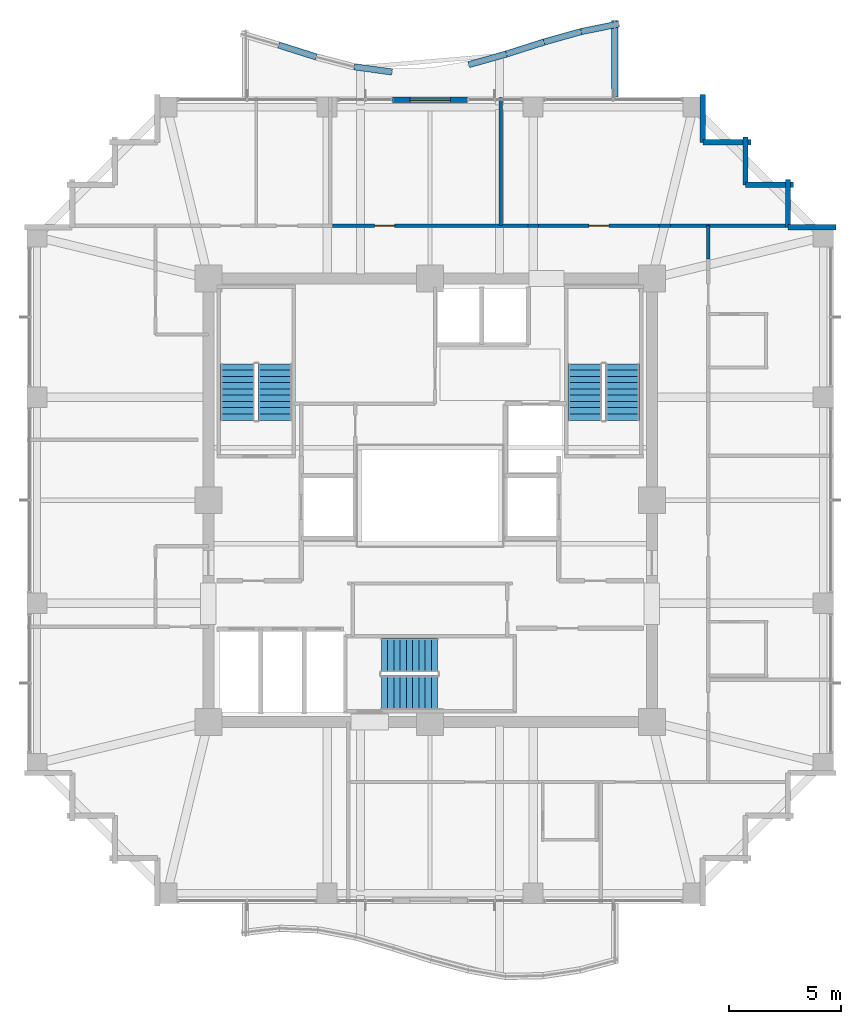
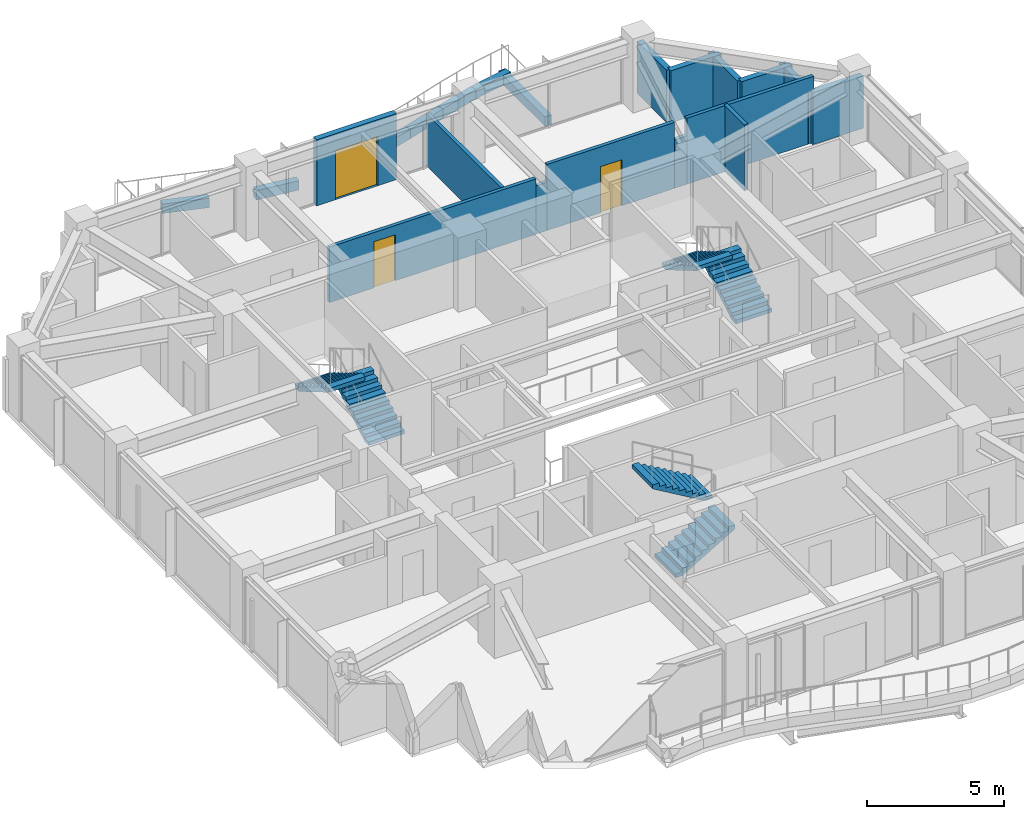
# One storey, part 29 of 31: 22 walls, 6 stair flights, 3 doors, 3 openings, 3 elements without a shape of their own.
"""IFC4 building model written with IfcOpenShell, lengths in metres."""

import ifcopenshell
import ifcopenshell.guid

model = None  # the IFC model being written
_history = None  # IfcOwnerHistory: only IFC2X3 demands one
_inside = {}  # id of a spatial element -> (the spatial element, [elements in it])
_under = {}  # id of a project, library or spatial element -> (it, [spatial elements below it])
_declared = {}  # id of a project -> (the project, [libraries it declares])
_typed = {}  # id of a type object -> (the type object, [elements of that type])
_made_of = {}  # id of a material, layer set ... -> (it, [elements and type objects made of it])


def new_model(schema):
    """Start an empty IFC model of exactly this schema.

    Asked for "IFC4X3", IfcOpenShell would pick the latest addendum, in which some entities
    have other attributes; the version numbers below select the first issue.
    IFC2X3 requires an IfcOwnerHistory on every rooted entity: one is made here for all.
    """
    global model, _history
    if schema == "IFC4X3":
        model = ifcopenshell.file(schema_version=(4, 3, 0, 0))
    else:
        model = ifcopenshell.file(schema=schema)
    _inside.clear()
    _under.clear()
    _declared.clear()
    _typed.clear()
    _made_of.clear()
    _history = None
    if model.schema == "IFC2X3":
        org = make("IfcOrganization", Name="unknown")
        user = make(
            "IfcPersonAndOrganization",
            ThePerson=make("IfcPerson", FamilyName="unknown"),
            TheOrganization=org,
        )
        app = make(
            "IfcApplication",
            ApplicationDeveloper=org,
            Version="unknown",
            ApplicationFullName="unknown",
            ApplicationIdentifier="unknown",
        )
        _history = make(
            "IfcOwnerHistory",
            OwningUser=user,
            OwningApplication=app,
            ChangeAction="ADDED",
            CreationDate=0,
        )
    return model


def make(cls, **values):
    """One entity of the class cls with the attributes given. An attribute that is None is left unset."""
    return model.create_entity(
        cls, **{name: value for name, value in values.items() if value is not None}
    )


def rooted(cls, **values):
    """An entity with a GlobalId (a new one), such as an element, a storey or a relation."""
    return make(cls, GlobalId=ifcopenshell.guid.new(), OwnerHistory=_history, **values)


def si_unit(unit_type, name, prefix=None):
    """IfcSIUnit, for example si_unit("LENGTHUNIT", "METRE", prefix="MILLI")."""
    return make("IfcSIUnit", UnitType=unit_type, Prefix=prefix, Name=name)


def assignment(units):
    """IfcUnitAssignment: the units of a project."""
    return None if units is None else make("IfcUnitAssignment", Units=units)


def point(xyz):
    """IfcCartesianPoint."""
    return None if xyz is None else make("IfcCartesianPoint", Coordinates=xyz)


def direction(xyz):
    """IfcDirection."""
    return None if xyz is None else make("IfcDirection", DirectionRatios=xyz)


def frame(location, z_axis=None, x_axis=None):
    """IfcAxis2Placement3D, a coordinate frame: its origin and axes. An axis left out is left unset."""
    return make(
        "IfcAxis2Placement3D",
        Location=point(location),
        Axis=direction(z_axis),
        RefDirection=direction(x_axis),
    )


def frame_2d(location, x_axis=None):
    """IfcAxis2Placement2D, a coordinate frame in the plane: its origin and x axis."""
    return make(
        "IfcAxis2Placement2D", Location=point(location), RefDirection=direction(x_axis)
    )


def origin():
    """The frame at (0, 0, 0) with its axes left unset."""
    return frame((0.0, 0.0, 0.0))


def place(relative_to, where):
    """IfcLocalPlacement: puts the frame where relative to a parent placement (None: the world)."""
    return make(
        "IfcLocalPlacement", PlacementRelTo=relative_to, RelativePlacement=where
    )


def context(
    kind, dimensions, precision=None, world=None, true_north=None, identifier=None
):
    """IfcGeometricRepresentationContext, for example the 3D "Model" context."""
    return make(
        "IfcGeometricRepresentationContext",
        ContextIdentifier=identifier,
        ContextType=kind,
        CoordinateSpaceDimension=dimensions,
        Precision=precision,
        WorldCoordinateSystem=world,
        TrueNorth=true_north,
    )


def subcontext(parent, identifier, kind, view, scale=None):
    """IfcGeometricRepresentationSubContext, for example "Body" below "Model"."""
    return make(
        "IfcGeometricRepresentationSubContext",
        ContextIdentifier=identifier,
        ContextType=kind,
        ParentContext=parent,
        TargetScale=scale,
        TargetView=view,
    )


def project(units=None, contexts=None):
    """IfcProject with its units and contexts."""
    return rooted(
        "IfcProject",
        Name="project",
        RepresentationContexts=contexts,
        UnitsInContext=assignment(units),
    )


def spatial(cls, under=None, at=None, **own):
    """A site, building, storey or space (cls), placed at a placement, below another one or the project."""
    s = rooted(cls, ObjectPlacement=at, **own)
    if under is not None:
        _under.setdefault(under.id(), (under, []))[1].append(s)
    return s


def polyline(points):
    """IfcPolyline through the points."""
    return make("IfcPolyline", Points=[point(p) for p in points])


def profile(cls, at=None, kind="AREA", **sizes):
    """A parametric profile (cls). Its sizes go by their IFC names, for example OverallWidth=200.0."""
    return make(cls, ProfileType=kind, Position=at, **sizes)


def rectangle(**sizes):
    """IfcRectangleProfileDef."""
    return profile("IfcRectangleProfileDef", **sizes)


def outline(outer, holes=None, kind="AREA"):
    """IfcArbitraryClosedProfileDef: a profile drawn as a closed curve; with holes, ...WithVoids."""
    if holes is None:
        return make("IfcArbitraryClosedProfileDef", ProfileType=kind, OuterCurve=outer)
    return make(
        "IfcArbitraryProfileDefWithVoids",
        ProfileType=kind,
        OuterCurve=outer,
        InnerCurves=holes,
    )


def extrude(swept, where, along, depth):
    """IfcExtrudedAreaSolid: the profile swept, set in the frame where, extruded along a direction by depth."""
    return make(
        "IfcExtrudedAreaSolid",
        SweptArea=swept,
        Position=where,
        ExtrudedDirection=direction(along),
        Depth=depth,
    )


def shape(context_of_items, identifier, shape_type, items):
    """IfcShapeRepresentation: the items that make up one representation, for example the "Body"."""
    return make(
        "IfcShapeRepresentation",
        ContextOfItems=context_of_items,
        RepresentationIdentifier=identifier,
        RepresentationType=shape_type,
        Items=items,
    )


def material(Name=None, Category=None):
    """IfcMaterial."""
    return make("IfcMaterial", Name=Name, Category=Category)


def layer(
    of_material, thickness, ventilated=None, Name=None, Category=None, Priority=None
):
    """IfcMaterialLayer: one layer of a wall or slab, of a material (None: an air gap)."""
    return make(
        "IfcMaterialLayer",
        Material=of_material,
        LayerThickness=thickness,
        IsVentilated=ventilated,
        Name=Name,
        Category=Category,
        Priority=Priority,
    )


def layer_set(layers, Name=None):
    """IfcMaterialLayerSet."""
    return make("IfcMaterialLayerSet", MaterialLayers=layers, LayerSetName=Name)


def made_of(thing, what):
    """Note that an element or type object is made of a material, layer set ...; save() writes the relation."""
    if what is not None:
        _made_of.setdefault(what.id(), (what, []))[1].append(thing)
    return thing


def type_object(cls, material=None, **own):
    """A type object (cls), such as IfcWallType, which elements share."""
    return made_of(rooted(cls, **own), material)


def element(
    cls,
    number,
    at=None,
    inside=None,
    cuts=None,
    type_object=None,
    material=None,
    context=None,
    identifier="Body",
    shape_type=None,
    held_by="IfcProductDefinitionShape",
    body=None,
    shapes=None,
    **own,
):
    """One element of the class cls, such as IfcWall. Its Tag is "e" and its number.

    at: its placement. inside: the storey or other place that contains it. cuts: it is an
    opening in that element (IfcRelVoidsElement). A single representation is given by context,
    identifier, shape_type and body (its items); several are given by shapes. held_by: the class
    of the entity that holds the representations. save() writes the other relations.
    """
    e = rooted(cls, Tag="e%d" % number, ObjectPlacement=at, **own)
    if body is not None:
        shapes = [shape(context, identifier, shape_type, body)]
    if shapes is not None:
        e.Representation = make(held_by, Representations=shapes)
    if inside is not None:
        _inside.setdefault(inside.id(), (inside, []))[1].append(e)
    if cuts is not None:
        rooted(
            "IfcRelVoidsElement", RelatingBuildingElement=cuts, RelatedOpeningElement=e
        )
    if type_object is not None:
        _typed.setdefault(type_object.id(), (type_object, []))[1].append(e)
    return made_of(e, material)


def fill(opening, filler):
    """IfcRelFillsElement: the door or window that sits in an opening."""
    return rooted(
        "IfcRelFillsElement",
        RelatingOpeningElement=opening,
        RelatedBuildingElement=filler,
    )


def aggregate(whole, parts):
    """IfcRelAggregates: a whole, such as a stair, and the parts it consists of."""
    return rooted("IfcRelAggregates", RelatingObject=whole, RelatedObjects=parts)


def save(model, path):
    """Write the relations noted so far, then the file.

    IfcRelAggregates (storeys below a building ...), IfcRelContainedInSpatialStructure (elements
    in a storey), IfcRelDefinesByType, IfcRelAssociatesMaterial and IfcRelDeclares: one each for
    every whole, place, type object, material and project.
    """
    for whole, parts in _under.values():
        aggregate(whole, parts)
    for where, things in _inside.values():
        rooted(
            "IfcRelContainedInSpatialStructure",
            RelatedElements=things,
            RelatingStructure=where,
        )
    for kind, things in _typed.values():
        rooted("IfcRelDefinesByType", RelatedObjects=things, RelatingType=kind)
    for what, things in _made_of.values():
        rooted("IfcRelAssociatesMaterial", RelatedObjects=things, RelatingMaterial=what)
    for by, libraries in _declared.values():
        rooted("IfcRelDeclares", RelatingContext=by, RelatedDefinitions=libraries)
    model.write(path)


model = new_model("IFC4")

# Units and contexts
model_context = context("Model", 3, precision=1e-05, world=origin(), true_north=direction((0.0, 1.0)))
body_context = subcontext(model_context, "Body", "Model", "MODEL_VIEW")
ifc_project = project(units=[si_unit("LENGTHUNIT", "METRE"), si_unit("AREAUNIT", "SQUARE_METRE"), si_unit("VOLUMEUNIT", "CUBIC_METRE"), si_unit("PLANEANGLEUNIT", "RADIAN"), si_unit("MASSUNIT", "GRAM", prefix="KILO")], contexts=[model_context])

# Site, building, storey
site_placement = place(None, origin())
site = spatial("IfcSite", under=ifc_project, at=site_placement, CompositionType="ELEMENT")
building_placement = place(site_placement, origin())
building = spatial("IfcBuilding", under=site, at=building_placement, Name="Kolvaren Belvedere", CompositionType="ELEMENT")
storey_placement = place(building_placement, frame((0.0, 0.0, 144.800048828125)))
storey = spatial("IfcBuildingStorey", under=building, at=storey_placement, Name="L42", CompositionType="ELEMENT", Elevation=144.800048828125)

# Wall, opening, door
ifc_material_1 = material(Name="Gypsum fire-rated partition assembly", Category="gypsum")
ifc_layer_1 = layer(ifc_material_1, 0.14990234375)
ifc_layer_set_1 = layer_set([ifc_layer_1], Name="Gypsum fire-rated partition assembly")
wall_type_1 = type_object("IfcWallType", Name="WL-CORR-150", PredefinedType="PARTITIONING", material=ifc_layer_set_1)
wall_1_placement = place(storey_placement, frame((-4.367431640625, 12.260009765625, 0.0), z_axis=(0.0, 0.0, 1.0), x_axis=(1.0, 0.0, 0.0)))
wall_1 = element("IfcWall", 1, at=wall_1_placement, inside=storey, type_object=wall_type_1, Name="L42 North Corridor Wall", PredefinedType="PARTITIONING", context=body_context, shape_type="SweptSolid", body=[
    extrude(rectangle(XDim=8.73486328125, YDim=0.14990234375, at=frame_2d((4.367431640625, 0.0))), origin(), (0.0, 0.0, 1.0), 2.474853515625),
])
opening_1_placement = place(wall_1_placement, frame((1.887451171875, 0.0, 0.0)))
opening_1 = element("IfcOpeningElement", 2, at=opening_1_placement, cuts=wall_1, Name="Opening D-INT90", PredefinedType="OPENING", context=body_context, shape_type="SweptSolid", body=[
    extrude(rectangle(XDim=0.89990234375, YDim=2.06005859375, at=frame_2d((0.449951171875, 1.030029296875))), frame((0.0, 0.0849609375, 0.0), z_axis=(0.0, -1.0, 0.0), x_axis=(1.0, 0.0, 0.0)), (0.0, 0.0, 1.0), 0.169921875),
])
ifc_material_2 = material(Name="Stained Pacific white oak", Category="timber")
door_type_1 = type_object("IfcDoorType", Name="DR-INT-900", OperationType="NOTDEFINED", PredefinedType="DOOR", material=ifc_material_2)
door_1_placement = place(opening_1_placement, origin())
door_1 = element("IfcDoor", 3, at=door_1_placement, inside=storey, type_object=door_type_1, Name="L42 Private Hospitality Meeting Room 4201 Door", OperationType="SINGLE_SWING_RIGHT", OverallHeight=2.06005859375, OverallWidth=0.89990234375, PredefinedType="DOOR", context=body_context, shape_type="SweptSolid", body=[
    extrude(rectangle(XDim=0.89990234375, YDim=2.06005859375, at=frame_2d((0.449951171875, 1.030029296875))), frame((0.0, 0.02490234375, 0.0), z_axis=(0.0, -1.0, 0.0), x_axis=(1.0, 0.0, 0.0)), (0.0, 0.0, 1.0), 0.050048828125),
])
fill(opening_1, door_1)

# Wall
wall_2_placement = place(storey_placement, frame((4.367431640625, 12.260009765625, 0.0), z_axis=(0.0, 0.0, 1.0), x_axis=(1.0, 0.0, 0.0)))
element("IfcWall", 4, at=wall_2_placement, inside=storey, type_object=wall_type_1, Name="L42 North Corridor Wall", PredefinedType="PARTITIONING", context=body_context, shape_type="SweptSolid", body=[
    extrude(rectangle(XDim=0.465087890625, YDim=0.14990234375, at=frame_2d((0.232421875, 0.0))), origin(), (0.0, 0.0, 1.0), 2.161865234375),
])

# Wall, opening, door
wall_3_placement = place(storey_placement, frame((4.83251953125, 12.260009765625, 0.0), z_axis=(0.0, 0.0, 1.0), x_axis=(1.0, 0.0, 0.0)))
wall_3 = element("IfcWall", 5, at=wall_3_placement, inside=storey, type_object=wall_type_1, Name="L42 North Corridor Wall", PredefinedType="PARTITIONING", context=body_context, shape_type="SweptSolid", body=[
    extrude(rectangle(XDim=5.37890625, YDim=0.14990234375, at=frame_2d((2.689453125, 0.0))), origin(), (0.0, 0.0, 1.0), 2.949951171875),
])
opening_2_placement = place(wall_3_placement, frame((2.25244140625, 0.0, 0.0)))
opening_2 = element("IfcOpeningElement", 6, at=opening_2_placement, cuts=wall_3, Name="Opening D-INT90", PredefinedType="OPENING", context=body_context, shape_type="SweptSolid", body=[
    extrude(rectangle(XDim=0.89990234375, YDim=2.06005859375, at=frame_2d((0.449951171875, 1.030029296875))), frame((0.0, 0.0849609375, 0.0), z_axis=(0.0, -1.0, 0.0), x_axis=(1.0, 0.0, 0.0)), (0.0, 0.0, 1.0), 0.169921875),
])
door_2_placement = place(opening_2_placement, origin())
door_2 = element("IfcDoor", 7, at=door_2_placement, inside=storey, type_object=door_type_1, Name="L42 Panoramic Quiet Lounge 4202 Door", OperationType="SINGLE_SWING_LEFT", OverallHeight=2.06005859375, OverallWidth=0.89990234375, PredefinedType="DOOR", context=body_context, shape_type="SweptSolid", body=[
    extrude(rectangle(XDim=0.89990234375, YDim=2.06005859375, at=frame_2d((0.449951171875, 1.030029296875))), frame((0.0, 0.02490234375, 0.0), z_axis=(0.0, -1.0, 0.0), x_axis=(1.0, 0.0, 0.0)), (0.0, 0.0, 1.0), 0.050048828125),
])
fill(opening_2, door_2)

# Walls
wall_4_placement = place(storey_placement, frame((10.21142578125, 12.260009765625, 0.0), z_axis=(0.0, 0.0, 1.0), x_axis=(1.0, 0.0, 0.0)))
element("IfcWall", 8, at=wall_4_placement, inside=storey, type_object=wall_type_1, Name="L42 North Corridor Wall", PredefinedType="PARTITIONING", context=body_context, shape_type="SweptSolid", body=[
    extrude(rectangle(XDim=0.5185546875, YDim=0.14990234375, at=frame_2d((0.25927734375, 0.0))), origin(), (0.0, 0.0, 1.0), 2.161865234375),
])
wall_5_placement = place(storey_placement, frame((10.72998046875, 12.260009765625, 0.0), z_axis=(0.0, 0.0, 1.0), x_axis=(1.0, 0.0, 0.0)))
element("IfcWall", 9, at=wall_5_placement, inside=storey, type_object=wall_type_1, Name="L42 North Corridor Wall", PredefinedType="PARTITIONING", context=body_context, shape_type="SweptSolid", body=[
    extrude(rectangle(XDim=1.68994140625, YDim=0.14990234375, at=frame_2d((0.844970703125, 0.0))), origin(), (0.0, 0.0, 1.0), 2.949951171875),
])
wall_6_placement = place(storey_placement, frame((12.419921875, 10.768798828125, 0.0), z_axis=(0.0, 0.0, 1.0), x_axis=(0.0, 1.0, 0.0)))
element("IfcWall", 10, at=wall_6_placement, inside=storey, type_object=wall_type_1, Name="L42 East Corridor Wall", PredefinedType="PARTITIONING", context=body_context, shape_type="SweptSolid", body=[
    extrude(rectangle(XDim=1.4912109375, YDim=0.14990234375, at=frame_2d((0.74560546875, 0.0))), origin(), (0.0, 0.0, 1.0), 2.949951171875),
])
ifc_material_3 = material(Name="Insulated pale-metal facade wall assembly", Category="aluminium")
ifc_layer_2 = layer(ifc_material_3, 0.239990234375)
ifc_layer_set_2 = layer_set([ifc_layer_2], Name="Insulated pale-metal facade wall assembly")
wall_type_2 = type_object("IfcWallType", Name="WL-EXT-240", PredefinedType="STANDARD", material=ifc_layer_set_2)
for number, where, z_axis, x_axis, name in (
    (11, (15.97998046875, 12.179931640625, 0.0), (0.0, 0.0, 1.0), (1.0, 0.0, 0.0), "L42 Serrated Corner Facade Wall 9"),
    (12, (15.97998046875, 14.320068359375, 0.0), (0.0, 0.0, 1.0), (0.0, -1.0, 0.0), "L42 Serrated Corner Facade Wall 10"),
):
    element("IfcWall", number, at=place(storey_placement, frame(where, z_axis=z_axis, x_axis=x_axis)), inside=storey, type_object=wall_type_2, Name=name, PredefinedType="STANDARD", context=body_context, shape_type="SweptSolid", body=[
        extrude(rectangle(XDim=2.14013671875, YDim=0.239990234375, at=frame_2d((1.070068359375, 0.0))), origin(), (0.0, 0.0, 1.0), 2.328857421875),
    ])
for number, where, z_axis, x_axis, name in (
    (13, (14.080078125, 14.080078125, 0.0), (0.0, 0.0, 1.0), (1.0, 0.0, 0.0), "L42 Serrated Corner Facade Wall 11"),
    (14, (14.080078125, 16.219970703125, 0.0), (0.0, 0.0, 1.0), (0.0, -1.0, 0.0), "L42 Serrated Corner Facade Wall 12"),
):
    element("IfcWall", number, at=place(storey_placement, frame(where, z_axis=z_axis, x_axis=x_axis)), inside=storey, type_object=wall_type_2, Name=name, PredefinedType="STANDARD", context=body_context, shape_type="SweptSolid", body=[
        extrude(rectangle(XDim=2.139892578125, YDim=0.239990234375, at=frame_2d((1.06982421875, 0.0))), origin(), (0.0, 0.0, 1.0), 2.328857421875),
    ])
for number, where, z_axis, x_axis, name in (
    (15, (12.179931640625, 15.97998046875, 0.0), (0.0, 0.0, 1.0), (1.0, 0.0, 0.0), "L42 Serrated Corner Facade Wall 13"),
    (16, (12.179931640625, 18.1201171875, 0.0), (0.0, 0.0, 1.0), (0.0, -1.0, 0.0), "L42 Serrated Corner Facade Wall 14"),
):
    element("IfcWall", number, at=place(storey_placement, frame(where, z_axis=z_axis, x_axis=x_axis)), inside=storey, type_object=wall_type_2, Name=name, PredefinedType="STANDARD", context=body_context, shape_type="SweptSolid", body=[
        extrude(rectangle(XDim=2.14013671875, YDim=0.239990234375, at=frame_2d((1.070068359375, 0.0))), origin(), (0.0, 0.0, 1.0), 2.328857421875),
    ])

# Wall, opening, door
wall_7_placement = place(storey_placement, frame((-1.679931640625, 17.8798828125, 0.0), z_axis=(0.0, 0.0, 1.0), x_axis=(1.0, 0.0, 0.0)))
wall_7 = element("IfcWall", 17, at=wall_7_placement, inside=storey, type_object=wall_type_2, Name="L42 North Terrace Portal Wall", PredefinedType="STANDARD", context=body_context, shape_type="SweptSolid", body=[
    extrude(rectangle(XDim=3.35986328125, YDim=0.239990234375, at=frame_2d((1.679931640625, 0.0))), origin(), (0.0, 0.0, 1.0), 2.949951171875),
])
opening_3_placement = place(wall_7_placement, frame((0.780029296875, 0.0, 0.0)))
opening_3 = element("IfcOpeningElement", 18, at=opening_3_placement, cuts=wall_7, Name="Opening DB-1800", PredefinedType="OPENING", context=body_context, shape_type="SweptSolid", body=[
    extrude(rectangle(XDim=1.800048828125, YDim=2.199951171875, at=frame_2d((0.89990234375, 1.10009765625))), frame((0.0, 0.1298828125, 0.0), z_axis=(0.0, -1.0, 0.0), x_axis=(1.0, 0.0, 0.0)), (0.0, 0.0, 1.0), 0.260009765625),
])
ifc_material_4 = material(Name="Thermally broken pale-metal aluminium & low-iron glass", Category="aluminium")
door_type_2 = type_object("IfcDoorType", Name="DR-BAL-1800", OperationType="DOUBLE_DOOR_SLIDING", PredefinedType="DOOR", material=ifc_material_4)
door_3_placement = place(opening_3_placement, origin())
door_3 = element("IfcDoor", 19, at=door_3_placement, inside=storey, type_object=door_type_2, Name="L42 North Planted Terrace Sliding Door", OperationType="DOUBLE_DOOR_SLIDING", OverallHeight=2.199951171875, OverallWidth=1.800048828125, PredefinedType="DOOR", context=body_context, shape_type="SweptSolid", body=[
    extrude(rectangle(XDim=1.800048828125, YDim=2.199951171875, at=frame_2d((0.89990234375, 1.10009765625))), frame((0.0, 0.02490234375, 0.0), z_axis=(0.0, -1.0, 0.0), x_axis=(1.0, 0.0, 0.0)), (0.0, 0.0, 1.0), 0.050048828125),
])
fill(opening_3, door_3)

# Walls
ifc_material_5 = material(Name="Gypsum acoustic partition assembly", Category="gypsum")
ifc_layer_3 = layer(ifc_material_5, 0.14990234375)
ifc_layer_set_3 = layer_set([ifc_layer_3], Name="Gypsum acoustic partition assembly")
wall_type_3 = type_object("IfcWallType", Name="WL-PART-150", PredefinedType="PARTITIONING", material=ifc_layer_set_3)
wall_8_placement = place(storey_placement, frame((12.419921875, 12.260009765625, 0.0), z_axis=(0.0, 0.0, 1.0), x_axis=(1.0, 0.0, 0.0)))
element("IfcWall", 20, at=wall_8_placement, inside=storey, type_object=wall_type_3, Name="L42 Wing Divider PW-L42-QNE", PredefinedType="PARTITIONING", context=body_context, shape_type="SweptSolid", body=[
    extrude(rectangle(XDim=3.67626953125, YDim=0.14990234375, at=frame_2d((1.838134765625, 0.0))), origin(), (0.0, 0.0, 1.0), 2.949951171875),
])
wall_9_placement = place(storey_placement, frame((3.14794921875, 12.260009765625, 0.0), z_axis=(0.0, 0.0, 1.0), x_axis=(0.0, 1.0, 0.0)))
element("IfcWall", 21, at=wall_9_placement, inside=storey, type_object=wall_type_3, Name="L42 North Suite Demising Wall 2", PredefinedType="PARTITIONING", context=body_context, shape_type="SweptSolid", body=[
    extrude(rectangle(XDim=5.719970703125, YDim=0.14990234375, at=frame_2d((2.85986328125, 0.0))), origin(), (0.0, 0.0, 1.0), 2.31884765625),
])
ifc_material_6 = material(Name="Precast concrete C40/50", Category="concrete")
ifc_layer_4 = layer(ifc_material_6, 0.300048828125)
ifc_layer_set_4 = layer_set([ifc_layer_4], Name="Precast concrete C40/50")
wall_type_4 = type_object("IfcWallType", Name="WL-PLANTER-300", PredefinedType="PARAPET", material=ifc_layer_set_4)
wall_10_placement = place(storey_placement, frame((8.239990234375, 18.0, -0.02001953125), z_axis=(0.0, 0.0, 1.0), x_axis=(0.0, 1.0, 0.0)))
element("IfcWall", 22, at=wall_10_placement, inside=storey, type_object=wall_type_4, Name="L42 Precast Structural Planter Wall BAL-N-11", PredefinedType="PARAPET", context=body_context, shape_type="SweptSolid", body=[
    extrude(rectangle(XDim=3.419921875, YDim=0.280029296875, at=frame_2d((1.7099609375, 0.0))), origin(), (0.0, 0.0, 1.0), 0.419921875),
])
wall_11_placement = place(storey_placement, frame((8.431884765625, 21.26318359375, -0.02001953125), z_axis=(0.0, 0.0, 1.0), x_axis=(-0.980067977123, -0.198662427795, 0.0)))
element("IfcWall", 23, at=wall_11_placement, inside=storey, type_object=wall_type_4, Name="L42 Precast Structural Planter Wall BAL-N-12", PredefinedType="PARAPET", context=body_context, shape_type="SweptSolid", body=[
    extrude(rectangle(XDim=1.71435546875, YDim=0.280029296875, at=frame_2d((0.857177734375, 0.0))), origin(), (0.0, 0.0, 1.0), 0.419921875),
])
wall_12_placement = place(storey_placement, frame((6.76318359375, 20.92529296875, -0.02001953125), z_axis=(0.0, 0.0, 1.0), x_axis=(-0.962916043401, -0.269801210823, 0.0)))
element("IfcWall", 24, at=wall_12_placement, inside=storey, type_object=wall_type_4, Name="L42 Precast Structural Planter Wall BAL-N-13", PredefinedType="PARAPET", context=body_context, shape_type="SweptSolid", body=[
    extrude(rectangle(XDim=1.74462890625, YDim=0.280029296875, at=frame_2d((0.872314453125, 0.0))), origin(), (0.0, 0.0, 1.0), 0.419921875),
])
wall_13_placement = place(storey_placement, frame((5.088623046875, 20.456298828125, -0.02001953125), z_axis=(0.0, 0.0, 1.0), x_axis=(-0.952461105499, -0.304660208284, 0.0)))
element("IfcWall", 25, at=wall_13_placement, inside=storey, type_object=wall_type_4, Name="L42 Precast Structural Planter Wall BAL-N-14", PredefinedType="PARAPET", context=body_context, shape_type="SweptSolid", body=[
    extrude(rectangle(XDim=1.763671875, YDim=0.280029296875, at=frame_2d((0.8818359375, 0.0))), origin(), (0.0, 0.0, 1.0), 0.419921875),
])
wall_14_placement = place(storey_placement, frame((3.4033203125, 19.917236328125, -0.02001953125), z_axis=(0.0, 0.0, 1.0), x_axis=(-0.962926227834, -0.269764860108, 0.0)))
element("IfcWall", 26, at=wall_14_placement, inside=storey, type_object=wall_type_4, Name="L42 Precast Structural Planter Wall BAL-N-15", PredefinedType="PARAPET", context=body_context, shape_type="SweptSolid", body=[
    extrude(rectangle(XDim=1.744873046875, YDim=0.280029296875, at=frame_2d((0.87255859375, 0.0))), origin(), (0.0, 0.0, 1.0), 0.419921875),
])
wall_15_placement = place(storey_placement, frame((-1.70166015625, 19.12060546875, -0.02001953125), z_axis=(0.0, 0.0, 1.0), x_axis=(-0.990855562068, 0.134926850989, 0.0)))
element("IfcWall", 27, at=wall_15_placement, inside=storey, type_object=wall_type_4, Name="L42 Precast Structural Planter Wall BAL-N-18", PredefinedType="PARAPET", context=body_context, shape_type="SweptSolid", body=[
    extrude(rectangle(XDim=1.695556640625, YDim=0.280029296875, at=frame_2d((0.84765625, 0.0))), origin(), (0.0, 0.0, 1.0), 0.419921875),
])
wall_16_placement = place(storey_placement, frame((-5.08837890625, 19.789794921875, -0.02001953125), z_axis=(0.0, 0.0, 1.0), x_axis=(-0.953142020151, 0.302523204768, 0.0)))
element("IfcWall", 28, at=wall_16_placement, inside=storey, type_object=wall_type_4, Name="L42 Precast Structural Planter Wall BAL-N-20", PredefinedType="PARAPET", context=body_context, shape_type="SweptSolid", body=[
    extrude(rectangle(XDim=1.762451171875, YDim=0.280029296875, at=frame_2d((0.88134765625, 0.0))), origin(), (0.0, 0.0, 1.0), 0.419921875),
])

# Stair, stair flights
ifc_material_7 = material(Name="Concrete C50/60", Category="concrete")
stair_type = type_object("IfcStairType", Name="ST-CORE-1520", PredefinedType="HALF_TURN_STAIR", material=ifc_material_7)
stair_1_placement = place(storey_placement, origin())
stair_1 = element("IfcStair", 29, at=stair_1_placement, inside=storey, type_object=stair_type, Name="L42 Protected Exit Stair ST-1", PredefinedType="HALF_TURN_STAIR")
ifc_material_8 = material(Name="Concrete C50/60", Category="concrete")
stair_flight_type = type_object("IfcStairFlightType", Name="SF-STR-1520", PredefinedType="STRAIGHT", material=ifc_material_8)
stair_flight_1_placement = place(storey_placement, frame((-6.919921875, 3.570068359375, 0.0), z_axis=(0.0, 0.0, 1.0), x_axis=(0.0, 1.0, 0.0)))
stair_flight_1 = element("IfcStairFlight", 30, at=stair_flight_1_placement, type_object=stair_flight_type, Name="ST-1 flight 1", NumberOfRisers=10, NumberOfTreads=9, PredefinedType="STRAIGHT", RiserHeight=0.165, TreadLength=0.28, context=body_context, shape_type="SweptSolid", body=[
    extrude(outline(polyline([(0.0, 0.0), (0.0, 0.1650390625), (0.280029296875, 0.1650390625), (0.280029296875, 0.330078125), (0.56005859375, 0.330078125), (0.56005859375, 0.4951171875), (0.840087890625, 0.4951171875), (0.840087890625, 0.659912109375), (1.1201171875, 0.659912109375), (1.1201171875, 0.824951171875), (1.39990234375, 0.824951171875), (1.39990234375, 0.989990234375), (1.679931640625, 0.989990234375), (1.679931640625, 1.155029296875), (1.9599609375, 1.155029296875), (1.9599609375, 1.320068359375), (2.239990234375, 1.320068359375), (2.239990234375, 1.485107421875), (2.52001953125, 1.485107421875), (2.52001953125, 1.64990234375), (2.52001953125, 1.31103515625), (0.295166015625, 0.0), (0.0, 0.0)])), frame((0.0, 0.760009765625, 0.0), z_axis=(0.0, -1.0, 0.0), x_axis=(1.0, 0.0, 0.0)), (0.0, 0.0, 1.0), 1.52001953125),
])
stair_flight_2_placement = place(storey_placement, frame((-8.590087890625, 6.090087890625, 1.64990234375), z_axis=(0.0, 0.0, 1.0), x_axis=(0.0, -1.0, 0.0)))
stair_flight_2 = element("IfcStairFlight", 31, at=stair_flight_2_placement, type_object=stair_flight_type, Name="ST-1 flight 2", NumberOfRisers=10, NumberOfTreads=9, PredefinedType="STRAIGHT", RiserHeight=0.165, TreadLength=0.28, context=body_context, shape_type="SweptSolid", body=[
    extrude(outline(polyline([(0.0, 0.0), (0.0, 0.1650390625), (0.280029296875, 0.1650390625), (0.280029296875, 0.330078125), (0.56005859375, 0.330078125), (0.56005859375, 0.4951171875), (0.840087890625, 0.4951171875), (0.840087890625, 0.659912109375), (1.1201171875, 0.659912109375), (1.1201171875, 0.824951171875), (1.39990234375, 0.824951171875), (1.39990234375, 0.989990234375), (1.679931640625, 0.989990234375), (1.679931640625, 1.155029296875), (1.9599609375, 1.155029296875), (1.9599609375, 1.320068359375), (2.239990234375, 1.320068359375), (2.239990234375, 1.485107421875), (2.52001953125, 1.485107421875), (2.52001953125, 1.64990234375), (2.52001953125, 1.31103515625), (0.295166015625, 0.0), (0.0, 0.0)])), frame((0.0, 0.760009765625, 0.0), z_axis=(0.0, -1.0, 0.0), x_axis=(1.0, 0.0, 0.0)), (0.0, 0.0, 1.0), 1.52001953125),
])
aggregate(stair_1, [stair_flight_1, stair_flight_2])

stair_2_placement = place(storey_placement, origin())
stair_2 = element("IfcStair", 32, at=stair_2_placement, inside=storey, type_object=stair_type, Name="L42 Protected Exit Stair ST-2", PredefinedType="HALF_TURN_STAIR")
stair_flight_3_placement = place(storey_placement, frame((8.590087890625, 3.570068359375, 0.0), z_axis=(0.0, 0.0, 1.0), x_axis=(0.0, 1.0, 0.0)))
stair_flight_3 = element("IfcStairFlight", 33, at=stair_flight_3_placement, type_object=stair_flight_type, Name="ST-2 flight 1", NumberOfRisers=10, NumberOfTreads=9, PredefinedType="STRAIGHT", RiserHeight=0.165, TreadLength=0.28, context=body_context, shape_type="SweptSolid", body=[
    extrude(outline(polyline([(0.0, 0.0), (0.0, 0.1650390625), (0.280029296875, 0.1650390625), (0.280029296875, 0.330078125), (0.56005859375, 0.330078125), (0.56005859375, 0.4951171875), (0.840087890625, 0.4951171875), (0.840087890625, 0.659912109375), (1.1201171875, 0.659912109375), (1.1201171875, 0.824951171875), (1.39990234375, 0.824951171875), (1.39990234375, 0.989990234375), (1.679931640625, 0.989990234375), (1.679931640625, 1.155029296875), (1.9599609375, 1.155029296875), (1.9599609375, 1.320068359375), (2.239990234375, 1.320068359375), (2.239990234375, 1.485107421875), (2.52001953125, 1.485107421875), (2.52001953125, 1.64990234375), (2.52001953125, 1.31103515625), (0.295166015625, 0.0), (0.0, 0.0)])), frame((0.0, 0.760009765625, 0.0), z_axis=(0.0, -1.0, 0.0), x_axis=(1.0, 0.0, 0.0)), (0.0, 0.0, 1.0), 1.52001953125),
])
stair_flight_4_placement = place(storey_placement, frame((6.919921875, 6.090087890625, 1.64990234375), z_axis=(0.0, 0.0, 1.0), x_axis=(0.0, -1.0, 0.0)))
stair_flight_4 = element("IfcStairFlight", 34, at=stair_flight_4_placement, type_object=stair_flight_type, Name="ST-2 flight 2", NumberOfRisers=10, NumberOfTreads=9, PredefinedType="STRAIGHT", RiserHeight=0.165, TreadLength=0.28, context=body_context, shape_type="SweptSolid", body=[
    extrude(outline(polyline([(0.0, 0.0), (0.0, 0.1650390625), (0.280029296875, 0.1650390625), (0.280029296875, 0.330078125), (0.56005859375, 0.330078125), (0.56005859375, 0.4951171875), (0.840087890625, 0.4951171875), (0.840087890625, 0.659912109375), (1.1201171875, 0.659912109375), (1.1201171875, 0.824951171875), (1.39990234375, 0.824951171875), (1.39990234375, 0.989990234375), (1.679931640625, 0.989990234375), (1.679931640625, 1.155029296875), (1.9599609375, 1.155029296875), (1.9599609375, 1.320068359375), (2.239990234375, 1.320068359375), (2.239990234375, 1.485107421875), (2.52001953125, 1.485107421875), (2.52001953125, 1.64990234375), (2.52001953125, 1.31103515625), (0.295166015625, 0.0), (0.0, 0.0)])), frame((0.0, 0.760009765625, 0.0), z_axis=(0.0, -1.0, 0.0), x_axis=(1.0, 0.0, 0.0)), (0.0, 0.0, 1.0), 1.52001953125),
])
aggregate(stair_2, [stair_flight_3, stair_flight_4])

stair_3_placement = place(storey_placement, origin())
stair_3 = element("IfcStair", 35, at=stair_3_placement, inside=storey, type_object=stair_type, Name="L42 Protected Exit Stair ST-3", PredefinedType="HALF_TURN_STAIR")
stair_flight_5_placement = place(storey_placement, frame((-2.179931640625, -8.590087890625, 0.0), z_axis=(0.0, 0.0, 1.0), x_axis=(1.0, 0.0, 0.0)))
stair_flight_5 = element("IfcStairFlight", 36, at=stair_flight_5_placement, type_object=stair_flight_type, Name="ST-3 flight 1", NumberOfRisers=10, NumberOfTreads=9, PredefinedType="STRAIGHT", RiserHeight=0.165, TreadLength=0.28, context=body_context, shape_type="SweptSolid", body=[
    extrude(outline(polyline([(0.0, 0.0), (0.0, 0.1650390625), (0.280029296875, 0.1650390625), (0.280029296875, 0.330078125), (0.56005859375, 0.330078125), (0.56005859375, 0.4951171875), (0.840087890625, 0.4951171875), (0.840087890625, 0.659912109375), (1.1201171875, 0.659912109375), (1.1201171875, 0.824951171875), (1.39990234375, 0.824951171875), (1.39990234375, 0.989990234375), (1.679931640625, 0.989990234375), (1.679931640625, 1.155029296875), (1.9599609375, 1.155029296875), (1.9599609375, 1.320068359375), (2.239990234375, 1.320068359375), (2.239990234375, 1.485107421875), (2.52001953125, 1.485107421875), (2.52001953125, 1.64990234375), (2.52001953125, 1.31103515625), (0.295166015625, 0.0), (0.0, 0.0)])), frame((0.0, 0.760009765625, 0.0), z_axis=(0.0, -1.0, 0.0), x_axis=(1.0, 0.0, 0.0)), (0.0, 0.0, 1.0), 1.52001953125),
])
stair_flight_6_placement = place(storey_placement, frame((0.340087890625, -6.919921875, 1.64990234375), z_axis=(0.0, 0.0, 1.0), x_axis=(-1.0, 0.0, 0.0)))
stair_flight_6 = element("IfcStairFlight", 37, at=stair_flight_6_placement, type_object=stair_flight_type, Name="ST-3 flight 2", NumberOfRisers=10, NumberOfTreads=9, PredefinedType="STRAIGHT", RiserHeight=0.165, TreadLength=0.28, context=body_context, shape_type="SweptSolid", body=[
    extrude(outline(polyline([(0.0, 0.0), (0.0, 0.1650390625), (0.280029296875, 0.1650390625), (0.280029296875, 0.330078125), (0.56005859375, 0.330078125), (0.56005859375, 0.4951171875), (0.840087890625, 0.4951171875), (0.840087890625, 0.659912109375), (1.1201171875, 0.659912109375), (1.1201171875, 0.824951171875), (1.39990234375, 0.824951171875), (1.39990234375, 0.989990234375), (1.679931640625, 0.989990234375), (1.679931640625, 1.155029296875), (1.9599609375, 1.155029296875), (1.9599609375, 1.320068359375), (2.239990234375, 1.320068359375), (2.239990234375, 1.485107421875), (2.52001953125, 1.485107421875), (2.52001953125, 1.64990234375), (2.52001953125, 1.31103515625), (0.295166015625, 0.0), (0.0, 0.0)])), frame((0.0, 0.760009765625, 0.0), z_axis=(0.0, -1.0, 0.0), x_axis=(1.0, 0.0, 0.0)), (0.0, 0.0, 1.0), 1.52001953125),
])
aggregate(stair_3, [stair_flight_5, stair_flight_6])

save(model, "model.ifc")
